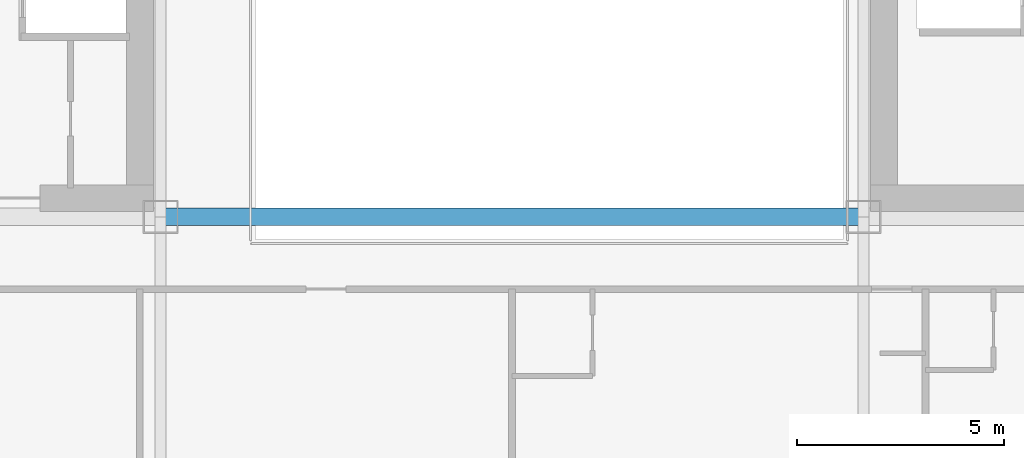
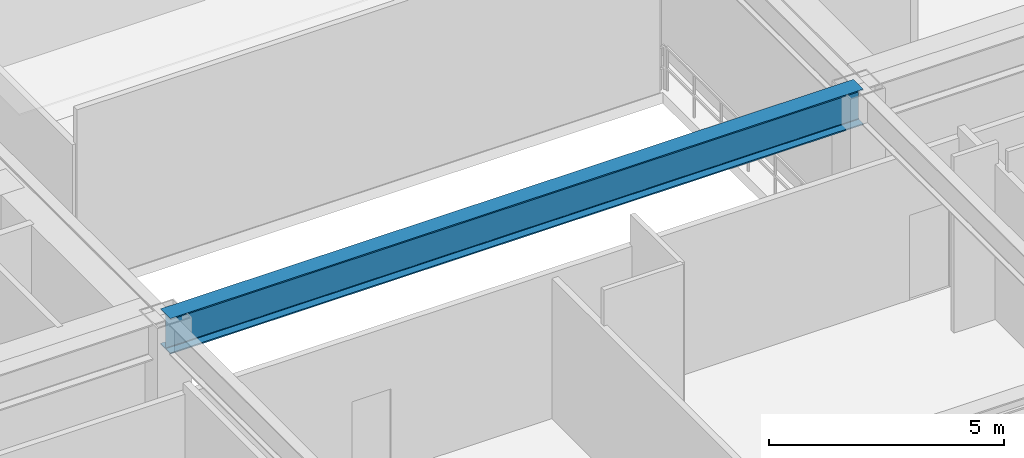
# One storey, part 6 of 38: 1 beam.
"""IFC4 building model written with IfcOpenShell, lengths in metres."""

from ifc_helpers import new_model, si_unit, direction, frame, origin, origin_2d, place, context, subcontext, project, spatial, i_section, extrude, source, transform, mapped, material, material_profile, profile_set, type_object, element, save


model = new_model("IFC4")

# Units and contexts
model_context = context("Model", 3, precision=1e-05, world=origin(), true_north=direction((0.0, 1.0)))
body_context = subcontext(model_context, "Body", "Model", "MODEL_VIEW")
ifc_project = project(units=[si_unit("LENGTHUNIT", "METRE"), si_unit("AREAUNIT", "SQUARE_METRE"), si_unit("VOLUMEUNIT", "CUBIC_METRE"), si_unit("PLANEANGLEUNIT", "RADIAN"), si_unit("MASSUNIT", "GRAM", prefix="KILO")], contexts=[model_context])

# Site, building, storey
site_placement = place(None, origin())
site = spatial("IfcSite", under=ifc_project, at=site_placement, CompositionType="ELEMENT")
building_placement = place(site_placement, origin())
building = spatial("IfcBuilding", under=site, at=building_placement, Name="Ocotamira Hotel", CompositionType="ELEMENT")
storey_placement = place(building_placement, frame((0.0, 0.0, 92.39990234375)))
storey = spatial("IfcBuildingStorey", under=building, at=storey_placement, Name="L22", CompositionType="ELEMENT", Elevation=92.39990234375)

# Beam
ifc_material = material(Name="Steel ASTM A992 Grade 50", Category="steel")
ifc_material_profile = material_profile(ifc_material, i_section(OverallWidth=0.41796875, OverallDepth=0.927001953125, WebThickness=0.019287109375, FlangeThickness=0.031982421875, FilletRadius=0.02392578125, at=origin_2d()), Name="W36X231")
ifc_profile_set = profile_set([ifc_material_profile], Name="Steel ASTM A992 Grade 50")
beam_type = type_object("IfcBeamType", Name="BM-GIRD-W36X231", PredefinedType="BEAM", material=ifc_profile_set)
shared_shape = source(origin(), body_context, "Body", "SweptSolid", [
    extrude(i_section(OverallWidth=0.41796875, OverallDepth=0.927001953125, WebThickness=0.019287109375, FlangeThickness=0.031982421875, FilletRadius=0.02392578125, at=origin_2d()), origin(), (0.0, 0.0, 1.0), 17.0),
])
beam_placement = place(storey_placement, frame((23.5, 14.550048828125, 4.0966796875), z_axis=(1.0, 0.0, 0.0), x_axis=(0.0, 1.0, 0.0)))
element("IfcBeam", 1, at=beam_placement, inside=storey, type_object=beam_type, Name="L22 Girder Y14.55 X23.5-40.5", PredefinedType="BEAM", context=body_context, shape_type="MappedRepresentation", body=[
    mapped(shared_shape, transform((0.0, 0.0, 0.0), scale=1.0)),
])

save(model, "model.ifc")
